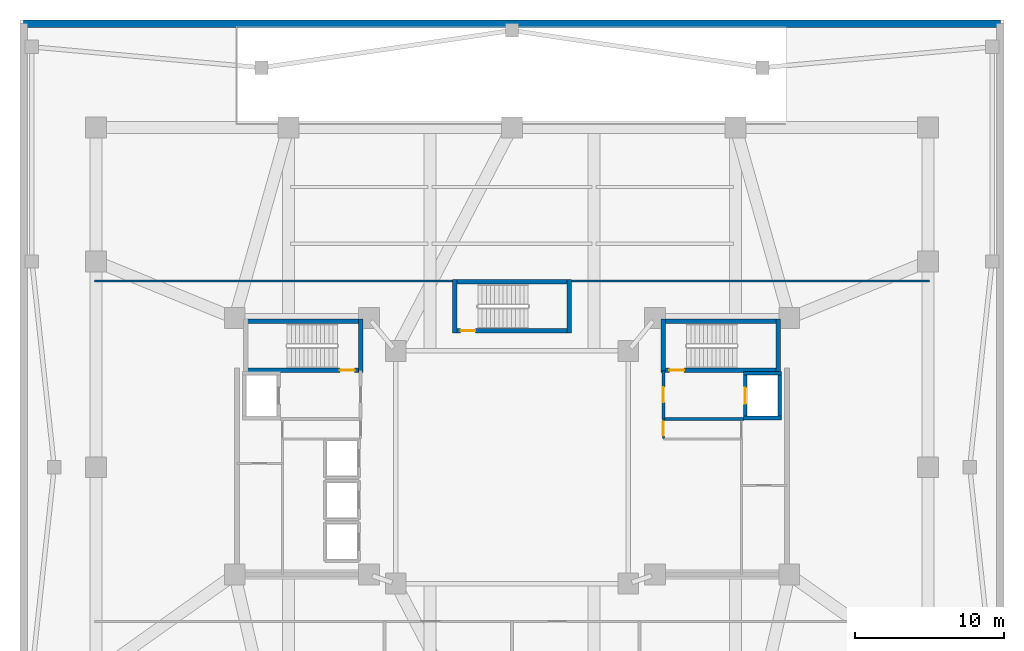
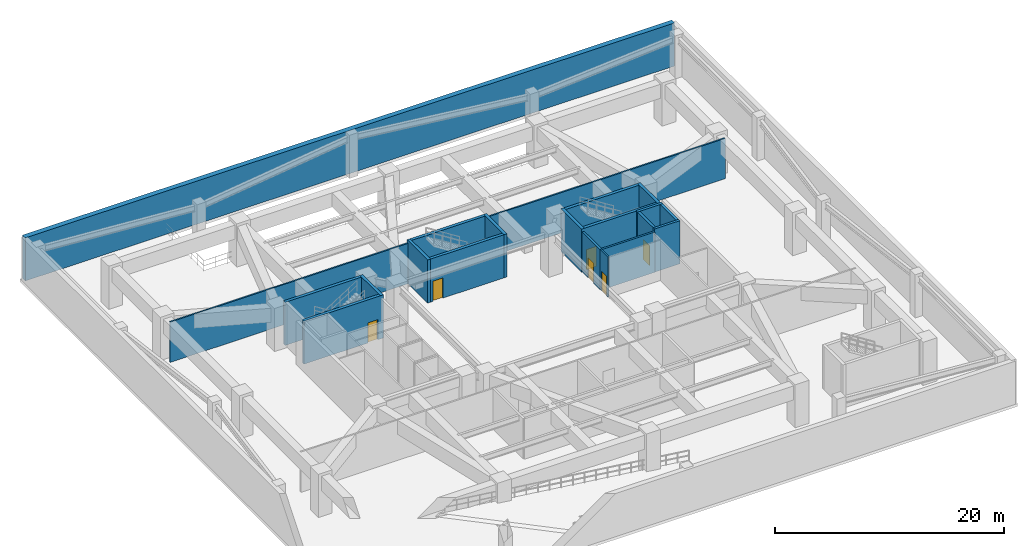
# One storey, part 4 of 8: 21 walls, 6 doors, 6 openings.
"""IFC4 building model written with IfcOpenShell, lengths in metres."""

from ifc_helpers import new_model, si_unit, direction, frame, frame_2d, origin, place, context, subcontext, project, spatial, rectangle, extrude, material, layer, layer_set, type_object, element, fill, save


model = new_model("IFC4")

# Units and contexts
model_context = context("Model", 3, precision=1e-05, world=origin(), true_north=direction((0.0, 1.0)))
body_context = subcontext(model_context, "Body", "Model", "MODEL_VIEW")
ifc_project = project(units=[si_unit("LENGTHUNIT", "METRE"), si_unit("AREAUNIT", "SQUARE_METRE"), si_unit("VOLUMEUNIT", "CUBIC_METRE"), si_unit("PLANEANGLEUNIT", "RADIAN"), si_unit("MASSUNIT", "GRAM", prefix="KILO")], contexts=[model_context])

# Site, building, storey
site_placement = place(None, origin())
site = spatial("IfcSite", under=ifc_project, at=site_placement, CompositionType="ELEMENT")
building_placement = place(site_placement, origin())
building = spatial("IfcBuilding", under=site, at=building_placement, Name="Tarnavaz Court Tower", CompositionType="ELEMENT")
storey_placement = place(building_placement, frame((0.0, 0.0, -4.60009765625)))
storey = spatial("IfcBuildingStorey", under=building, at=storey_placement, Name="B01", CompositionType="ELEMENT", Elevation=-4.60009765625)

# Wall, opening, door
ifc_material_1 = material(Name="Concrete C60/75", Category="concrete")
ifc_layer_1 = layer(ifc_material_1, 0.25)
ifc_layer_set_1 = layer_set([ifc_layer_1], Name="Concrete C60/75")
wall_type_1 = type_object("IfcWallType", Name="WL-CORE-250-C60", PredefinedType="SHEAR", material=ifc_layer_set_1)
wall_1_placement = place(storey_placement, frame((15.64990234375, 3.175048828125, 0.0), z_axis=(0.0, 0.0, 1.0), x_axis=(0.0, 1.0, 0.0)))
wall_1 = element("IfcWall", 1, at=wall_1_placement, inside=storey, type_object=wall_type_1, Name="B01 Lift FL-E1 Shaft Wall 037", PredefinedType="SHEAR", context=body_context, shape_type="SweptSolid", body=[
    extrude(rectangle(XDim=3.25, YDim=0.25, at=frame_2d((1.625, 0.0))), origin(), (0.0, 0.0, 1.0), 4.60009765625),
])
opening_1_placement = place(wall_1_placement, frame((1.074951171875, 0.0, 0.0)))
opening_1 = element("IfcOpeningElement", 2, at=opening_1_placement, cuts=wall_1, Name="Opening LD1", PredefinedType="OPENING", context=body_context, shape_type="SweptSolid", body=[
    extrude(rectangle(XDim=1.10009765625, YDim=2.14990234375, at=frame_2d((0.550048828125, 1.074951171875))), frame((0.0, 0.135009765625, 0.0), z_axis=(0.0, -1.0, 0.0), x_axis=(1.0, 0.0, 0.0)), (0.0, 0.0, 1.0), 0.27001953125),
])
ifc_material_2 = material(Name="Stainless Steel", Category="steel")
door_type_1 = type_object("IfcDoorType", Name="DR-LD-1100", OperationType="NOTDEFINED", PredefinedType="DOOR", material=ifc_material_2)
door_1_placement = place(opening_1_placement, origin())
door_1 = element("IfcDoor", 3, at=door_1_placement, inside=storey, type_object=door_type_1, Name="B01 Lift Landing Door LD-FL-E1", OperationType="SLIDING_TO_LEFT", OverallHeight=2.14990234375, OverallWidth=1.10009765625, PredefinedType="DOOR", context=body_context, shape_type="SweptSolid", body=[
    extrude(rectangle(XDim=1.10009765625, YDim=2.14990234375, at=frame_2d((0.550048828125, 1.074951171875))), frame((0.0, 0.02490234375, 0.0), z_axis=(0.0, -1.0, 0.0), x_axis=(1.0, 0.0, 0.0)), (0.0, 0.0, 1.0), 0.050048828125),
])
fill(opening_1, door_1)

# Walls
wall_2_placement = place(storey_placement, frame((17.949951171875, 3.175048828125, 0.0), z_axis=(0.0, 0.0, 1.0), x_axis=(0.0, 1.0, 0.0)))
element("IfcWall", 4, at=wall_2_placement, inside=storey, type_object=wall_type_1, Name="B01 Lift FL-E1 Shaft Wall 038", PredefinedType="SHEAR", context=body_context, shape_type="SweptSolid", body=[
    extrude(rectangle(XDim=3.25, YDim=0.25, at=frame_2d((1.625, 0.0))), origin(), (0.0, 0.0, 1.0), 4.60009765625),
])
for number, where, z_axis, x_axis, name in (
    (5, (15.52490234375, 3.300048828125, 0.0), (0.0, 0.0, 1.0), (1.0, 0.0, 0.0), "B01 Lift FL-E1 Shaft Wall 039"),
    (6, (15.52490234375, 6.300048828125, 0.0), (0.0, 0.0, 1.0), (1.0, 0.0, 0.0), "B01 Lift FL-E1 Shaft Wall 040"),
):
    element("IfcWall", number, at=place(storey_placement, frame(where, z_axis=z_axis, x_axis=x_axis)), inside=storey, type_object=wall_type_1, Name=name, PredefinedType="SHEAR", context=body_context, shape_type="SweptSolid", body=[
        extrude(rectangle(XDim=2.550048828125, YDim=0.25, at=frame_2d((1.27490234375, 0.0))), origin(), (0.0, 0.0, 1.0), 4.60009765625),
    ])
ifc_layer_2 = layer(ifc_material_1, 0.300048828125)
ifc_layer_set_2 = layer_set([ifc_layer_2], Name="Concrete C60/75")
wall_type_2 = type_object("IfcWallType", Name="WL-CORE-300-C60", PredefinedType="SHEAR", material=ifc_layer_set_2)
wall_3_placement = place(storey_placement, frame((-18.0, 9.7900390625, 0.0), z_axis=(0.0, 0.0, 1.0), x_axis=(1.0, 0.0, 0.0)))
element("IfcWall", 7, at=wall_3_placement, inside=storey, type_object=wall_type_2, Name="B01 West Stair Core Wall 001", PredefinedType="SHEAR", context=body_context, shape_type="SweptSolid", body=[
    extrude(rectangle(XDim=8.0, YDim=0.300048828125, at=frame_2d((4.0, 0.0))), origin(), (0.0, 0.0, 1.0), 4.60009765625),
])

# Wall, opening, door
wall_4_placement = place(storey_placement, frame((-18.0, 6.5, 0.0), z_axis=(0.0, 0.0, 1.0), x_axis=(1.0, 0.0, 0.0)))
wall_4 = element("IfcWall", 8, at=wall_4_placement, inside=storey, type_object=wall_type_2, Name="B01 West Stair Core Wall 002", PredefinedType="SHEAR", context=body_context, shape_type="SweptSolid", body=[
    extrude(rectangle(XDim=8.0, YDim=0.300048828125, at=frame_2d((4.0, 0.0))), origin(), (0.0, 0.0, 1.0), 4.60009765625),
])
opening_2_placement = place(wall_4_placement, frame((6.449951171875, 0.0, 0.0)))
opening_2 = element("IfcOpeningElement", 9, at=opening_2_placement, cuts=wall_4, Name="Opening D01", PredefinedType="OPENING", context=body_context, shape_type="SweptSolid", body=[
    extrude(rectangle(XDim=1.0, YDim=2.14990234375, at=frame_2d((0.5, 1.074951171875))), frame((0.0, 0.159912109375, 0.0), z_axis=(0.0, -1.0, 0.0), x_axis=(1.0, 0.0, 0.0)), (0.0, 0.0, 1.0), 0.320068359375),
])
ifc_material_3 = material(Name="Fire-Rated Hardwood Timber Core", Category="wood")
door_type_2 = type_object("IfcDoorType", Name="DR-FD90-1000", OperationType="NOTDEFINED", PredefinedType="DOOR", material=ifc_material_3)
door_2_placement = place(opening_2_placement, origin())
door_2 = element("IfcDoor", 10, at=door_2_placement, inside=storey, type_object=door_type_2, Name="B01 Stair ST-W1 Exit Door", OperationType="SINGLE_SWING_LEFT", OverallHeight=2.14990234375, OverallWidth=1.0, PredefinedType="DOOR", context=body_context, shape_type="SweptSolid", body=[
    extrude(rectangle(XDim=1.0, YDim=2.14990234375, at=frame_2d((0.5, 1.074951171875))), frame((0.0, 0.02490234375, 0.0), z_axis=(0.0, -1.0, 0.0), x_axis=(1.0, 0.0, 0.0)), (0.0, 0.0, 1.0), 0.050048828125),
])
fill(opening_2, door_2)

# Walls
wall_5_placement = place(storey_placement, frame((-10.14990234375, 6.35009765625, 0.0), z_axis=(0.0, 0.0, 1.0), x_axis=(0.0, 1.0, 0.0)))
element("IfcWall", 11, at=wall_5_placement, inside=storey, type_object=wall_type_2, Name="B01 West Stair Core Wall 004", PredefinedType="SHEAR", context=body_context, shape_type="SweptSolid", body=[
    extrude(rectangle(XDim=3.58984375, YDim=0.300048828125, at=frame_2d((1.794921875, 0.0))), origin(), (0.0, 0.0, 1.0), 4.60009765625),
])
wall_6_placement = place(storey_placement, frame((10.0, 9.7900390625, 0.0), z_axis=(0.0, 0.0, 1.0), x_axis=(1.0, 0.0, 0.0)))
element("IfcWall", 12, at=wall_6_placement, inside=storey, type_object=wall_type_2, Name="B01 East Stair Core Wall 005", PredefinedType="SHEAR", context=body_context, shape_type="SweptSolid", body=[
    extrude(rectangle(XDim=8.0, YDim=0.300048828125, at=frame_2d((4.0, 0.0))), origin(), (0.0, 0.0, 1.0), 4.60009765625),
])

# Wall, opening, door
wall_7_placement = place(storey_placement, frame((10.0, 6.5, 0.0), z_axis=(0.0, 0.0, 1.0), x_axis=(1.0, 0.0, 0.0)))
wall_7 = element("IfcWall", 13, at=wall_7_placement, inside=storey, type_object=wall_type_2, Name="B01 East Stair Core Wall 006", PredefinedType="SHEAR", context=body_context, shape_type="SweptSolid", body=[
    extrude(rectangle(XDim=8.0, YDim=0.300048828125, at=frame_2d((4.0, 0.0))), origin(), (0.0, 0.0, 1.0), 4.60009765625),
])
opening_3_placement = place(wall_7_placement, frame((0.550048828125, 0.0, 0.0)))
opening_3 = element("IfcOpeningElement", 14, at=opening_3_placement, cuts=wall_7, Name="Opening D01", PredefinedType="OPENING", context=body_context, shape_type="SweptSolid", body=[
    extrude(rectangle(XDim=1.0, YDim=2.14990234375, at=frame_2d((0.5, 1.074951171875))), frame((0.0, 0.159912109375, 0.0), z_axis=(0.0, -1.0, 0.0), x_axis=(1.0, 0.0, 0.0)), (0.0, 0.0, 1.0), 0.320068359375),
])
door_3_placement = place(opening_3_placement, origin())
door_3 = element("IfcDoor", 15, at=door_3_placement, inside=storey, type_object=door_type_2, Name="B01 Stair ST-E1 Exit Door", OperationType="SINGLE_SWING_RIGHT", OverallHeight=2.14990234375, OverallWidth=1.0, PredefinedType="DOOR", context=body_context, shape_type="SweptSolid", body=[
    extrude(rectangle(XDim=1.0, YDim=2.14990234375, at=frame_2d((0.5, 1.074951171875))), frame((0.0, 0.02490234375, 0.0), z_axis=(0.0, -1.0, 0.0), x_axis=(1.0, 0.0, 0.0)), (0.0, 0.0, 1.0), 0.050048828125),
])
fill(opening_3, door_3)

# Walls
for number, where, z_axis, x_axis, name in (
    (16, (10.14990234375, 6.35009765625, 0.0), (0.0, 0.0, 1.0), (0.0, 1.0, 0.0), "B01 East Stair Core Wall 007"),
    (17, (17.85009765625, 6.35009765625, 0.0), (0.0, 0.0, 1.0), (0.0, 1.0, 0.0), "B01 East Stair Core Wall 008"),
):
    element("IfcWall", number, at=place(storey_placement, frame(where, z_axis=z_axis, x_axis=x_axis)), inside=storey, type_object=wall_type_2, Name=name, PredefinedType="SHEAR", context=body_context, shape_type="SweptSolid", body=[
        extrude(rectangle(XDim=3.58984375, YDim=0.300048828125, at=frame_2d((1.794921875, 0.0))), origin(), (0.0, 0.0, 1.0), 4.60009765625),
    ])
wall_8_placement = place(storey_placement, frame((-4.0, 12.43994140625, 0.0), z_axis=(0.0, 0.0, 1.0), x_axis=(1.0, 0.0, 0.0)))
element("IfcWall", 18, at=wall_8_placement, inside=storey, type_object=wall_type_2, Name="B01 North Stair Core Wall 009", PredefinedType="SHEAR", context=body_context, shape_type="SweptSolid", body=[
    extrude(rectangle(XDim=8.0, YDim=0.300048828125, at=frame_2d((4.0, 0.0))), origin(), (0.0, 0.0, 1.0), 4.60009765625),
])

# Wall, opening, door
wall_9_placement = place(storey_placement, frame((-4.0, 9.14990234375, 0.0), z_axis=(0.0, 0.0, 1.0), x_axis=(1.0, 0.0, 0.0)))
wall_9 = element("IfcWall", 19, at=wall_9_placement, inside=storey, type_object=wall_type_2, Name="B01 North Stair Core Wall 010", PredefinedType="SHEAR", context=body_context, shape_type="SweptSolid", body=[
    extrude(rectangle(XDim=8.0, YDim=0.300048828125, at=frame_2d((4.0, 0.0))), origin(), (0.0, 0.0, 1.0), 4.60009765625),
])
opening_4_placement = place(wall_9_placement, frame((0.550048828125, 0.0, 0.0)))
opening_4 = element("IfcOpeningElement", 20, at=opening_4_placement, cuts=wall_9, Name="Opening D01", PredefinedType="OPENING", context=body_context, shape_type="SweptSolid", body=[
    extrude(rectangle(XDim=1.0, YDim=2.14990234375, at=frame_2d((0.5, 1.074951171875))), frame((0.0, 0.159912109375, 0.0), z_axis=(0.0, -1.0, 0.0), x_axis=(1.0, 0.0, 0.0)), (0.0, 0.0, 1.0), 0.320068359375),
])
door_4_placement = place(opening_4_placement, origin())
door_4 = element("IfcDoor", 21, at=door_4_placement, inside=storey, type_object=door_type_2, Name="B01 Stair ST-N1 Exit Door", OperationType="SINGLE_SWING_LEFT", OverallHeight=2.14990234375, OverallWidth=1.0, PredefinedType="DOOR", context=body_context, shape_type="SweptSolid", body=[
    extrude(rectangle(XDim=1.0, YDim=2.14990234375, at=frame_2d((0.5, 1.074951171875))), frame((0.0, 0.02490234375, 0.0), z_axis=(0.0, -1.0, 0.0), x_axis=(1.0, 0.0, 0.0)), (0.0, 0.0, 1.0), 0.050048828125),
])
fill(opening_4, door_4)

# Walls
for number, where, z_axis, x_axis, name in (
    (22, (-3.85009765625, 9.0, 0.0), (0.0, 0.0, 1.0), (0.0, 1.0, 0.0), "B01 North Stair Core Wall 011"),
    (23, (3.85009765625, 9.0, 0.0), (0.0, 0.0, 1.0), (0.0, 1.0, 0.0), "B01 North Stair Core Wall 012"),
):
    element("IfcWall", number, at=place(storey_placement, frame(where, z_axis=z_axis, x_axis=x_axis)), inside=storey, type_object=wall_type_2, Name=name, PredefinedType="SHEAR", context=body_context, shape_type="SweptSolid", body=[
        extrude(rectangle(XDim=3.590087890625, YDim=0.300048828125, at=frame_2d((1.794921875, 0.0))), origin(), (0.0, 0.0, 1.0), 4.60009765625),
    ])
ifc_material_4 = material(Name="Gypsum Fire-Board on Acoustic Metal Stud", Category="masonry")
ifc_layer_3 = layer(ifc_material_4, 0.14990234375)
ifc_layer_set_3 = layer_set([ifc_layer_3], Name="Gypsum Fire-Board on Acoustic Metal Stud")
wall_type_3 = type_object("IfcWallType", Name="WL-FIRE-150", PredefinedType="PARTITIONING", material=ifc_layer_set_3)
for number, where, z_axis, x_axis, name in (
    (24, (-28.0, 12.5, 0.0), (0.0, 0.0, 1.0), (1.0, 0.0, 0.0), "B01 NW Wing Corridor Wall 053"),
    (25, (3.85009765625, 12.5, 0.0), (0.0, 0.0, 1.0), (1.0, 0.0, 0.0), "B01 NE Wing Corridor Wall 054"),
):
    element("IfcWall", number, at=place(storey_placement, frame(where, z_axis=z_axis, x_axis=x_axis)), inside=storey, type_object=wall_type_3, Name=name, PredefinedType="PARTITIONING", context=body_context, shape_type="SweptSolid", body=[
        extrude(rectangle(XDim=24.14990234375, YDim=0.14990234375, at=frame_2d((12.074951171875, 0.0))), origin(), (0.0, 0.0, 1.0), 4.300048828125),
    ])
ifc_material_5 = material(Name="Autoclaved Aerated Concrete Blockwork", Category="masonry")
ifc_layer_4 = layer(ifc_material_5, 0.199951171875)
ifc_layer_set_4 = layer_set([ifc_layer_4], Name="Autoclaved Aerated Concrete Blockwork")
wall_type_4 = type_object("IfcWallType", Name="WL-FIRE-200", PredefinedType="SOLIDWALL", material=ifc_layer_set_4)
wall_10_placement = place(storey_placement, frame((10.14990234375, 3.25, 0.0), z_axis=(0.0, 0.0, 1.0), x_axis=(1.0, 0.0, 0.0)))
element("IfcWall", 26, at=wall_10_placement, inside=storey, type_object=wall_type_4, Name="B01 East Firefighting Lobby Wall 019", PredefinedType="SOLIDWALL", context=body_context, shape_type="SweptSolid", body=[
    extrude(rectangle(XDim=5.400146484375, YDim=0.199951171875, at=frame_2d((2.7001953125, 0.0))), origin(), (0.0, 0.0, 1.0), 4.300048828125),
])

# Wall, opening, door
wall_11_placement = place(storey_placement, frame((10.14990234375, 3.25, 0.0), z_axis=(0.0, 0.0, 1.0), x_axis=(0.0, 1.0, 0.0)))
wall_11 = element("IfcWall", 27, at=wall_11_placement, inside=storey, type_object=wall_type_4, Name="B01 East Firefighting Lobby Wall 020", PredefinedType="SOLIDWALL", context=body_context, shape_type="SweptSolid", body=[
    extrude(rectangle(XDim=3.25, YDim=0.199951171875, at=frame_2d((1.625, 0.0))), origin(), (0.0, 0.0, 1.0), 4.300048828125),
])
opening_5_placement = place(wall_11_placement, frame((1.10009765625, 0.0, 0.0)))
opening_5 = element("IfcOpeningElement", 28, at=opening_5_placement, cuts=wall_11, Name="Opening D05", PredefinedType="OPENING", context=body_context, shape_type="SweptSolid", body=[
    extrude(rectangle(XDim=1.02001953125, YDim=2.14990234375, at=frame_2d((0.510009765625, 1.074951171875))), frame((0.0, 0.10986328125, 0.0), z_axis=(0.0, -1.0, 0.0), x_axis=(1.0, 0.0, 0.0)), (0.0, 0.0, 1.0), 0.219970703125),
])
door_type_3 = type_object("IfcDoorType", Name="DR-FD60-1000", OperationType="NOTDEFINED", PredefinedType="DOOR", material=ifc_material_3)
door_5_placement = place(opening_5_placement, origin())
door_5 = element("IfcDoor", 29, at=door_5_placement, inside=storey, type_object=door_type_3, Name="B01 East Firefighting Lobby Door", OperationType="SINGLE_SWING_LEFT", OverallHeight=2.14990234375, OverallWidth=1.02001953125, PredefinedType="DOOR", context=body_context, shape_type="SweptSolid", body=[
    extrude(rectangle(XDim=1.02001953125, YDim=2.14990234375, at=frame_2d((0.510009765625, 1.074951171875))), frame((0.0, 0.02490234375, 0.0), z_axis=(0.0, -1.0, 0.0), x_axis=(1.0, 0.0, 0.0)), (0.0, 0.0, 1.0), 0.050048828125),
])
fill(opening_5, door_5)

ifc_material_6 = material(Name="Gypsum Plasterboard Acoustic Partition", Category="masonry")
ifc_layer_5 = layer(ifc_material_6, 0.139892578125)
ifc_layer_set_5 = layer_set([ifc_layer_5], Name="Gypsum Plasterboard Acoustic Partition")
wall_type_5 = type_object("IfcWallType", Name="WL-PART-150", PredefinedType="PARTITIONING", material=ifc_layer_set_5)
wall_12_placement = place(storey_placement, frame((10.14990234375, 1.919921875, 0.0), z_axis=(0.0, 0.0, 1.0), x_axis=(0.0, 1.0, 0.0)))
wall_12 = element("IfcWall", 30, at=wall_12_placement, inside=storey, type_object=wall_type_5, Name="B01 Interior Partition 050", PredefinedType="PARTITIONING", context=body_context, shape_type="SweptSolid", body=[
    extrude(rectangle(XDim=1.330078125, YDim=0.139892578125, at=frame_2d((0.6650390625, 0.0))), origin(), (0.0, 0.0, 1.0), 4.300048828125),
])
opening_6_placement = place(wall_12_placement, frame((0.219970703125, 0.0, 0.0)))
opening_6 = element("IfcOpeningElement", 31, at=opening_6_placement, cuts=wall_12, Name="Opening D09", PredefinedType="OPENING", context=body_context, shape_type="SweptSolid", body=[
    extrude(rectangle(XDim=0.89990234375, YDim=2.080078125, at=frame_2d((0.449951171875, 1.0400390625))), frame((0.0, 0.079833984375, 0.0), z_axis=(0.0, -1.0, 0.0), x_axis=(1.0, 0.0, 0.0)), (0.0, 0.0, 1.0), 0.159912109375),
])
door_type_4 = type_object("IfcDoorType", Name="DR-FD30-900", OperationType="NOTDEFINED", PredefinedType="DOOR", material=ifc_material_3)
door_6_placement = place(opening_6_placement, origin())
door_6 = element("IfcDoor", 32, at=door_6_placement, inside=storey, type_object=door_type_4, Name="B01 East Core Service Lobby Door", OperationType="SINGLE_SWING_LEFT", OverallHeight=2.080078125, OverallWidth=0.89990234375, PredefinedType="DOOR", context=body_context, shape_type="SweptSolid", body=[
    extrude(rectangle(XDim=0.89990234375, YDim=2.080078125, at=frame_2d((0.449951171875, 1.0400390625))), frame((0.0, 0.02490234375, 0.0), z_axis=(0.0, -1.0, 0.0), x_axis=(1.0, 0.0, 0.0)), (0.0, 0.0, 1.0), 0.050048828125),
])
fill(opening_6, door_6)

# Wall
ifc_material_7 = material(Name="Concrete C50/60", Category="concrete")
ifc_layer_6 = layer(ifc_material_7, 0.5)
ifc_layer_set_6 = layer_set([ifc_layer_6], Name="Concrete C50/60")
wall_type_6 = type_object("IfcWallType", Name="WL-RET-500", PredefinedType="USERDEFINED", material=ifc_layer_set_6)
wall_13_placement = place(storey_placement, frame((-32.75, 29.75, 0.0), z_axis=(0.0, 0.0, 1.0), x_axis=(1.0, 0.0, 0.0)))
element("IfcWall", 33, at=wall_13_placement, inside=storey, type_object=wall_type_6, Name="B01 Perimeter Retaining Wall 1", ObjectType="RETAINING WALL", PredefinedType="USERDEFINED", context=body_context, shape_type="SweptSolid", body=[
    extrude(rectangle(XDim=65.5, YDim=0.5, at=frame_2d((32.75, 0.0))), origin(), (0.0, 0.0, 1.0), 4.60009765625),
])

save(model, "model.ifc")
